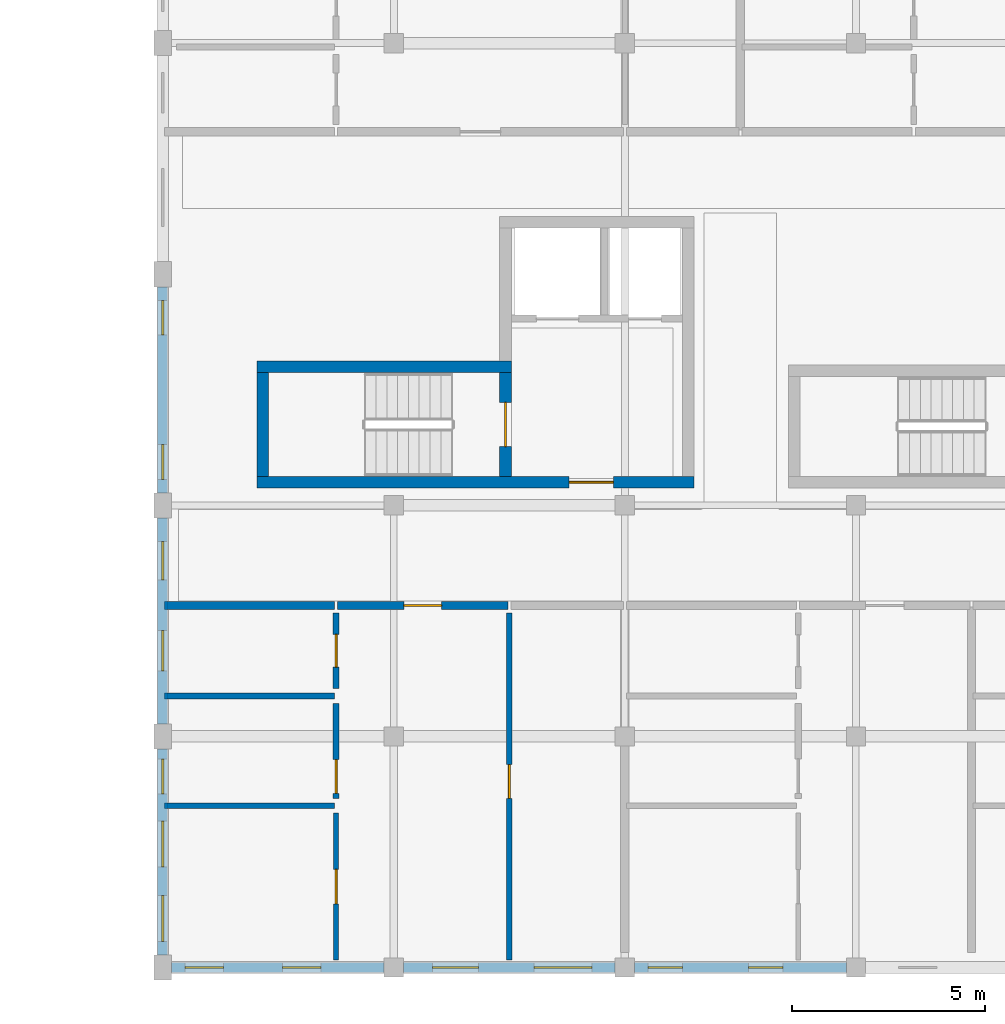
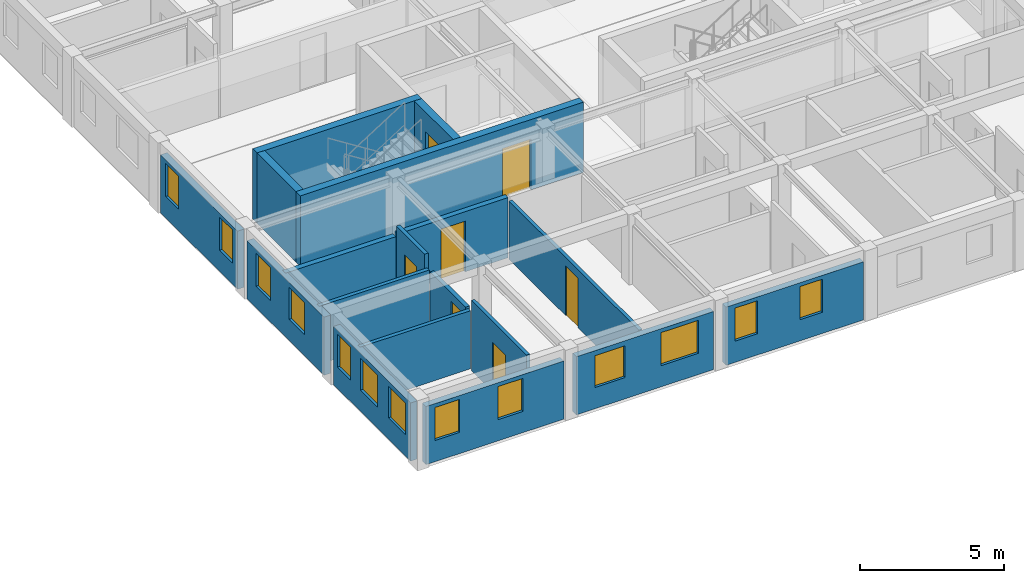
# One storey, part 9 of 23: 18 walls, 13 windows, 7 doors, 20 openings.
"""IFC4 building model written with IfcOpenShell, lengths in metres."""

from ifc_helpers import new_model, si_unit, direction, frame, frame_2d, origin, place, context, subcontext, project, spatial, rectangle, extrude, material, layer, layer_set, type_object, element, fill, save


model = new_model("IFC4")

# Units and contexts
model_context = context("Model", 3, precision=1e-05, world=origin(), true_north=direction((0.0, 1.0)))
body_context = subcontext(model_context, "Body", "Model", "MODEL_VIEW")
ifc_project = project(units=[si_unit("LENGTHUNIT", "METRE"), si_unit("AREAUNIT", "SQUARE_METRE"), si_unit("VOLUMEUNIT", "CUBIC_METRE"), si_unit("PLANEANGLEUNIT", "RADIAN"), si_unit("MASSUNIT", "GRAM", prefix="KILO"), si_unit("POWERUNIT", "WATT"), si_unit("THERMODYNAMICTEMPERATUREUNIT", "KELVIN")], contexts=[model_context])

# Site, building, storey
site_placement = place(None, origin())
site = spatial("IfcSite", under=ifc_project, at=site_placement, CompositionType="ELEMENT")
building_placement = place(site_placement, origin())
building = spatial("IfcBuilding", under=site, at=building_placement, Name="Ruvembo Vaulted Housing Court", CompositionType="ELEMENT")
storey_placement = place(building_placement, frame((0.0, 0.0, 26.89990234375)))
storey = spatial("IfcBuildingStorey", under=building, at=storey_placement, Name="L08", CompositionType="ELEMENT", Elevation=26.89990234375)

# Wall, opening, door
ifc_material_1 = material(Name="Concrete C35/45", Category="concrete")
ifc_layer_1 = layer(ifc_material_1, 0.300048828125, Name="Concrete C35/45")
ifc_layer_set_1 = layer_set([ifc_layer_1], Name="Concrete C35/45")
wall_type_1 = type_object("IfcWallType", Name="WL-CORE-300", PredefinedType="SHEAR", material=ifc_layer_set_1)
wall_1_placement = place(storey_placement, frame((104.449951171875, 12.60009765625, 0.0), z_axis=(0.0, 0.0, 1.0), x_axis=(1.0, 0.0, 0.0)))
wall_1 = element("IfcWall", 1, at=wall_1_placement, inside=storey, type_object=wall_type_1, Name="Core C1 L08 South Shear Wall", PredefinedType="SHEAR", context=body_context, shape_type="SweptSolid", body=[
    extrude(rectangle(XDim=11.35009765625, YDim=0.300048828125, at=frame_2d((5.675048828125, 0.0))), origin(), (0.0, 0.0, 1.0), 2.97998046875),
])
opening_1_placement = place(wall_1_placement, frame((8.10009765625, 0.0, 0.0)))
opening_1 = element("IfcOpeningElement", 2, at=opening_1_placement, cuts=wall_1, Name="Opening LD0", PredefinedType="OPENING", context=body_context, shape_type="SweptSolid", body=[
    extrude(rectangle(XDim=1.14990234375, YDim=2.14990234375, at=frame_2d((0.574951171875, 1.074951171875))), frame((0.0, 0.159912109375, 0.0), z_axis=(0.0, -1.0, 0.0), x_axis=(1.0, 0.0, 0.0)), (0.0, 0.0, 1.0), 0.320068359375),
])
ifc_material_2 = material(Name="Galvanised Painted Steel", Category="steel")
door_type_1 = type_object("IfcDoorType", Name="DR-LOB-1150x2150", OperationType="NOTDEFINED", PredefinedType="DOOR", material=ifc_material_2)
door_1_placement = place(opening_1_placement, origin())
door_1 = element("IfcDoor", 3, at=door_1_placement, inside=storey, type_object=door_type_1, Name="Core C1 L08 Lobby Fire Door", OperationType="SINGLE_SWING_RIGHT", OverallHeight=2.14990234375, OverallWidth=1.14990234375, PredefinedType="DOOR", context=body_context, shape_type="SweptSolid", body=[
    extrude(rectangle(XDim=1.14990234375, YDim=2.14990234375, at=frame_2d((0.574951171875, 1.074951171875))), frame((0.0, 0.02490234375, 0.0), z_axis=(0.0, -1.0, 0.0), x_axis=(1.0, 0.0, 0.0)), (0.0, 0.0, 1.0), 0.050048828125),
])
fill(opening_1, door_1)

# Walls
wall_2_placement = place(storey_placement, frame((111.050048828125, 15.60009765625, 0.0), z_axis=(0.0, 0.0, 1.0), x_axis=(-1.0, 0.0, 0.0)))
element("IfcWall", 4, at=wall_2_placement, inside=storey, type_object=wall_type_1, Name="Core C1 L08 Stair North Shear Wall", PredefinedType="SHEAR", context=body_context, shape_type="SweptSolid", body=[
    extrude(rectangle(XDim=6.60009765625, YDim=0.300048828125, at=frame_2d((3.300048828125, 0.0))), origin(), (0.0, 0.0, 1.0), 2.97998046875),
])
wall_3_placement = place(storey_placement, frame((104.60009765625, 15.449951171875, 0.0), z_axis=(0.0, 0.0, 1.0), x_axis=(0.0, -1.0, 0.0)))
element("IfcWall", 5, at=wall_3_placement, inside=storey, type_object=wall_type_1, Name="Core C1 L08 Stair West Shear Wall", PredefinedType="SHEAR", context=body_context, shape_type="SweptSolid", body=[
    extrude(rectangle(XDim=2.699951171875, YDim=0.300048828125, at=frame_2d((1.35009765625, 0.0))), origin(), (0.0, 0.0, 1.0), 2.97998046875),
])

# Wall, opening, door
wall_4_placement = place(storey_placement, frame((110.89990234375, 12.75, 0.0), z_axis=(0.0, 0.0, 1.0), x_axis=(0.0, 1.0, 0.0)))
wall_4 = element("IfcWall", 6, at=wall_4_placement, inside=storey, type_object=wall_type_1, Name="Core C1 L08 Stair-Lobby Shear Wall", PredefinedType="SHEAR", context=body_context, shape_type="SweptSolid", body=[
    extrude(rectangle(XDim=2.699951171875, YDim=0.300048828125, at=frame_2d((1.35009765625, 0.0))), origin(), (0.0, 0.0, 1.0), 2.97998046875),
])
opening_2_placement = place(wall_4_placement, frame((0.77490234375, 0.0, 0.0)))
opening_2 = element("IfcOpeningElement", 7, at=opening_2_placement, cuts=wall_4, Name="Opening SD1", PredefinedType="OPENING", context=body_context, shape_type="SweptSolid", body=[
    extrude(rectangle(XDim=1.14990234375, YDim=2.14990234375, at=frame_2d((0.574951171875, 1.074951171875))), frame((0.0, 0.159912109375, 0.0), z_axis=(0.0, -1.0, 0.0), x_axis=(1.0, 0.0, 0.0)), (0.0, 0.0, 1.0), 0.320068359375),
])
door_type_2 = type_object("IfcDoorType", Name="DR-STAIR-1150x2150", OperationType="NOTDEFINED", PredefinedType="DOOR", material=ifc_material_2)
door_2_placement = place(opening_2_placement, origin())
door_2 = element("IfcDoor", 8, at=door_2_placement, inside=storey, type_object=door_type_2, Name="Stair ST-C1 L08 Fire Door", OperationType="SINGLE_SWING_LEFT", OverallHeight=2.14990234375, OverallWidth=1.14990234375, PredefinedType="DOOR", context=body_context, shape_type="SweptSolid", body=[
    extrude(rectangle(XDim=1.14990234375, YDim=2.14990234375, at=frame_2d((0.574951171875, 1.074951171875))), frame((0.0, 0.02490234375, 0.0), z_axis=(0.0, -1.0, 0.0), x_axis=(1.0, 0.0, 0.0)), (0.0, 0.0, 1.0), 0.050048828125),
])
fill(opening_2, door_2)

# Wall
ifc_material_3 = material(Name="Concrete Blockwork 210", Category="masonry")
ifc_layer_2 = layer(ifc_material_3, 0.2099609375, Name="Concrete Blockwork 210")
ifc_layer_set_2 = layer_set([ifc_layer_2], Name="Concrete Blockwork 210")
wall_type_2 = type_object("IfcWallType", Name="WL-CORR-210", PredefinedType="SOLIDWALL", material=ifc_layer_set_2)
wall_5_placement = place(storey_placement, frame((102.0400390625, 9.39990234375, 0.0), z_axis=(0.0, 0.0, 1.0), x_axis=(1.0, 0.0, 0.0)))
element("IfcWall", 9, at=wall_5_placement, inside=storey, type_object=wall_type_2, Name="L08 Flat C-L08-S1 Corridor Wall WL-INT-L08-02089", PredefinedType="SOLIDWALL", context=body_context, shape_type="SweptSolid", body=[
    extrude(rectangle(XDim=4.419921875, YDim=0.2099609375, at=frame_2d((2.2099609375, 0.0))), origin(), (0.0, 0.0, 1.0), 2.462158203125),
])

# Wall, opening, door
wall_6_placement = place(storey_placement, frame((106.5400390625, 9.39990234375, 0.0), z_axis=(0.0, 0.0, 1.0), x_axis=(1.0, 0.0, 0.0)))
wall_6 = element("IfcWall", 10, at=wall_6_placement, inside=storey, type_object=wall_type_2, Name="L08 Flat C-L08-S1 Entrance WL-INT-L08-02090", PredefinedType="SOLIDWALL", context=body_context, shape_type="SweptSolid", body=[
    extrude(rectangle(XDim=4.419921875, YDim=0.2099609375, at=frame_2d((2.2099609375, 0.0))), origin(), (0.0, 0.0, 1.0), 2.548095703125),
])
opening_3_placement = place(wall_6_placement, frame((1.719970703125, 0.0, 0.0)))
opening_3 = element("IfcOpeningElement", 11, at=opening_3_placement, cuts=wall_6, Name="Opening FD2", PredefinedType="OPENING", context=body_context, shape_type="SweptSolid", body=[
    extrude(rectangle(XDim=0.97998046875, YDim=2.14990234375, at=frame_2d((0.489990234375, 1.074951171875))), frame((0.0, 0.114990234375, 0.0), z_axis=(0.0, -1.0, 0.0), x_axis=(1.0, 0.0, 0.0)), (0.0, 0.0, 1.0), 0.22998046875),
])
ifc_material_4 = material(Name="FSC Hardwood and Engineered Timber", Category="wood")
door_type_3 = type_object("IfcDoorType", Name="DR-FLAT-0980x2150", OperationType="NOTDEFINED", PredefinedType="DOOR", material=ifc_material_4)
door_3_placement = place(opening_3_placement, origin())
door_3 = element("IfcDoor", 12, at=door_3_placement, inside=storey, type_object=door_type_3, Name="L08 Flat C-L08-S1 Entrance Door DR-INT-L08-01165", OperationType="SINGLE_SWING_LEFT", OverallHeight=2.14990234375, OverallWidth=0.97998046875, PredefinedType="DOOR", context=body_context, shape_type="SweptSolid", body=[
    extrude(rectangle(XDim=0.97998046875, YDim=2.14990234375, at=frame_2d((0.489990234375, 1.074951171875))), frame((0.0, 0.02490234375, 0.0), z_axis=(0.0, -1.0, 0.0), x_axis=(1.0, 0.0, 0.0)), (0.0, 0.0, 1.0), 0.050048828125),
])
fill(opening_3, door_3)

# Wall, openings, windows
ifc_material_5 = material(Name="Rendered Masonry 260", Category="masonry")
ifc_layer_3 = layer(ifc_material_5, 0.260009765625, Name="Rendered Masonry 260")
ifc_layer_set_3 = layer_set([ifc_layer_3], Name="Rendered Masonry 260")
wall_type_3 = type_object("IfcWallType", Name="WL-EXT-260", PredefinedType="STANDARD", material=ifc_layer_set_3)
wall_7_placement = place(storey_placement, frame((102.22509765625, 0.0, 0.0), z_axis=(0.0, 0.0, 1.0), x_axis=(1.0, 0.0, 0.0)))
wall_7 = element("IfcWall", 13, at=wall_7_placement, inside=storey, type_object=wall_type_3, Name="Block C L08 Exterior Wall STREET #1", PredefinedType="STANDARD", context=body_context, shape_type="SweptSolid", body=[
    extrude(rectangle(XDim=5.52490234375, YDim=0.260009765625, at=frame_2d((2.762451171875, 0.0))), origin(), (0.0, 0.0, 1.0), 2.462158203125),
])
opening_4_placement = place(wall_7_placement, frame((0.35009765625, 0.0, 0.89990234375)))
opening_4 = element("IfcOpeningElement", 14, at=opening_4_placement, cuts=wall_7, Name="Opening W08", PredefinedType="OPENING", context=body_context, shape_type="SweptSolid", body=[
    extrude(rectangle(XDim=1.0, YDim=1.39990234375, at=frame_2d((0.5, 0.699951171875))), frame((0.0, 0.139892578125, 0.0), z_axis=(0.0, -1.0, 0.0), x_axis=(1.0, 0.0, 0.0)), (0.0, 0.0, 1.0), 0.280029296875),
])
opening_5_placement = place(wall_7_placement, frame((2.885009765625, 0.0, 0.89990234375)))
opening_5 = element("IfcOpeningElement", 15, at=opening_5_placement, cuts=wall_7, Name="Opening W08", PredefinedType="OPENING", context=body_context, shape_type="SweptSolid", body=[
    extrude(rectangle(XDim=1.0, YDim=1.39990234375, at=frame_2d((0.5, 0.699951171875))), frame((0.0, 0.139892578125, 0.0), z_axis=(0.0, -1.0, 0.0), x_axis=(1.0, 0.0, 0.0)), (0.0, 0.0, 1.0), 0.280029296875),
])
ifc_material_6 = material(Name="Double Solar-Control Glazing in Aluminium Frame", Category="aluminium")
window_type_1 = type_object("IfcWindowType", Name="WIN-1000x1400", PartitioningType="SINGLE_PANEL", PredefinedType="WINDOW", material=ifc_material_6)
window_1_placement = place(opening_4_placement, origin())
window_1 = element("IfcWindow", 16, at=window_1_placement, inside=storey, type_object=window_type_1, Name="Block C L08 Window #1406", OverallHeight=1.39990234375, OverallWidth=1.0, PartitioningType="SINGLE_PANEL", PredefinedType="WINDOW", context=body_context, shape_type="SweptSolid", body=[
    extrude(rectangle(XDim=1.0, YDim=1.39990234375, at=frame_2d((0.5, 0.699951171875))), frame((0.0, 0.030029296875, 0.0), z_axis=(0.0, -1.0, 0.0), x_axis=(1.0, 0.0, 0.0)), (0.0, 0.0, 1.0), 0.06005859375),
])
fill(opening_4, window_1)
window_2_placement = place(opening_5_placement, origin())
window_2 = element("IfcWindow", 17, at=window_2_placement, inside=storey, type_object=window_type_1, Name="Block C L08 Window #1407", OverallHeight=1.39990234375, OverallWidth=1.0, PartitioningType="SINGLE_PANEL", PredefinedType="WINDOW", context=body_context, shape_type="SweptSolid", body=[
    extrude(rectangle(XDim=1.0, YDim=1.39990234375, at=frame_2d((0.5, 0.699951171875))), frame((0.0, 0.030029296875, 0.0), z_axis=(0.0, -1.0, 0.0), x_axis=(1.0, 0.0, 0.0)), (0.0, 0.0, 1.0), 0.06005859375),
])
fill(opening_5, window_2)

wall_8_placement = place(storey_placement, frame((108.25, 0.0, 0.0), z_axis=(0.0, 0.0, 1.0), x_axis=(1.0, 0.0, 0.0)))
wall_8 = element("IfcWall", 18, at=wall_8_placement, inside=storey, type_object=wall_type_3, Name="Block C L08 Exterior Wall STREET #2", PredefinedType="STANDARD", context=body_context, shape_type="SweptSolid", body=[
    extrude(rectangle(XDim=5.5, YDim=0.260009765625, at=frame_2d((2.75, 0.0))), origin(), (0.0, 0.0, 1.0), 2.462158203125),
])
opening_6_placement = place(wall_8_placement, frame((0.7548828125, 0.0, 0.89990234375)))
opening_6 = element("IfcOpeningElement", 19, at=opening_6_placement, cuts=wall_8, Name="Opening W12", PredefinedType="OPENING", context=body_context, shape_type="SweptSolid", body=[
    extrude(rectangle(XDim=1.199951171875, YDim=1.35009765625, at=frame_2d((0.60009765625, 0.675048828125))), frame((0.0, 0.139892578125, 0.0), z_axis=(0.0, -1.0, 0.0), x_axis=(1.0, 0.0, 0.0)), (0.0, 0.0, 1.0), 0.280029296875),
])
opening_7_placement = place(wall_8_placement, frame((3.39501953125, 0.0, 0.89990234375)))
opening_7 = element("IfcOpeningElement", 20, at=opening_7_placement, cuts=wall_8, Name="Opening W18", PredefinedType="OPENING", context=body_context, shape_type="SweptSolid", body=[
    extrude(rectangle(XDim=1.5, YDim=1.39990234375, at=frame_2d((0.75, 0.699951171875))), frame((0.0, 0.139892578125, 0.0), z_axis=(0.0, -1.0, 0.0), x_axis=(1.0, 0.0, 0.0)), (0.0, 0.0, 1.0), 0.280029296875),
])
window_type_2 = type_object("IfcWindowType", Name="WIN-1200x1350", PartitioningType="SINGLE_PANEL", PredefinedType="WINDOW", material=ifc_material_6)
window_3_placement = place(opening_6_placement, origin())
window_3 = element("IfcWindow", 21, at=window_3_placement, inside=storey, type_object=window_type_2, Name="Block C L08 Window #1408", OverallHeight=1.35009765625, OverallWidth=1.199951171875, PartitioningType="SINGLE_PANEL", PredefinedType="WINDOW", context=body_context, shape_type="SweptSolid", body=[
    extrude(rectangle(XDim=1.199951171875, YDim=1.35009765625, at=frame_2d((0.60009765625, 0.675048828125))), frame((0.0, 0.030029296875, 0.0), z_axis=(0.0, -1.0, 0.0), x_axis=(1.0, 0.0, 0.0)), (0.0, 0.0, 1.0), 0.06005859375),
])
fill(opening_6, window_3)
window_type_3 = type_object("IfcWindowType", Name="WIN-1500x1400", PartitioningType="SINGLE_PANEL", PredefinedType="WINDOW", material=ifc_material_6)
window_4_placement = place(opening_7_placement, origin())
window_4 = element("IfcWindow", 22, at=window_4_placement, inside=storey, type_object=window_type_3, Name="Block C L08 Window #1409", OverallHeight=1.39990234375, OverallWidth=1.5, PartitioningType="SINGLE_PANEL", PredefinedType="WINDOW", context=body_context, shape_type="SweptSolid", body=[
    extrude(rectangle(XDim=1.5, YDim=1.39990234375, at=frame_2d((0.75, 0.699951171875))), frame((0.0, 0.030029296875, 0.0), z_axis=(0.0, -1.0, 0.0), x_axis=(1.0, 0.0, 0.0)), (0.0, 0.0, 1.0), 0.06005859375),
])
fill(opening_7, window_4)

wall_9_placement = place(storey_placement, frame((114.25, 0.0, 0.0), z_axis=(0.0, 0.0, 1.0), x_axis=(1.0, 0.0, 0.0)))
wall_9 = element("IfcWall", 23, at=wall_9_placement, inside=storey, type_object=wall_type_3, Name="Block C L08 Exterior Wall STREET #3", PredefinedType="STANDARD", context=body_context, shape_type="SweptSolid", body=[
    extrude(rectangle(XDim=5.5, YDim=0.260009765625, at=frame_2d((2.75, 0.0))), origin(), (0.0, 0.0, 1.0), 2.462158203125),
])
opening_8_placement = place(wall_9_placement, frame((0.35009765625, 0.0, 0.89990234375)))
opening_8 = element("IfcOpeningElement", 24, at=opening_8_placement, cuts=wall_9, Name="Opening W05", PredefinedType="OPENING", context=body_context, shape_type="SweptSolid", body=[
    extrude(rectangle(XDim=0.89990234375, YDim=1.39990234375, at=frame_2d((0.449951171875, 0.699951171875))), frame((0.0, 0.139892578125, 0.0), z_axis=(0.0, -1.0, 0.0), x_axis=(1.0, 0.0, 0.0)), (0.0, 0.0, 1.0), 0.280029296875),
])
opening_9_placement = place(wall_9_placement, frame((2.9599609375, 0.0, 0.89990234375)))
opening_9 = element("IfcOpeningElement", 25, at=opening_9_placement, cuts=wall_9, Name="Opening W05", PredefinedType="OPENING", context=body_context, shape_type="SweptSolid", body=[
    extrude(rectangle(XDim=0.89990234375, YDim=1.39990234375, at=frame_2d((0.449951171875, 0.699951171875))), frame((0.0, 0.139892578125, 0.0), z_axis=(0.0, -1.0, 0.0), x_axis=(1.0, 0.0, 0.0)), (0.0, 0.0, 1.0), 0.280029296875),
])
window_type_4 = type_object("IfcWindowType", Name="WIN-0900x1400", PartitioningType="SINGLE_PANEL", PredefinedType="WINDOW", material=ifc_material_6)
window_5_placement = place(opening_8_placement, origin())
window_5 = element("IfcWindow", 26, at=window_5_placement, inside=storey, type_object=window_type_4, Name="Block C L08 Window #1410", OverallHeight=1.39990234375, OverallWidth=0.89990234375, PartitioningType="SINGLE_PANEL", PredefinedType="WINDOW", context=body_context, shape_type="SweptSolid", body=[
    extrude(rectangle(XDim=0.89990234375, YDim=1.39990234375, at=frame_2d((0.449951171875, 0.699951171875))), frame((0.0, 0.030029296875, 0.0), z_axis=(0.0, -1.0, 0.0), x_axis=(1.0, 0.0, 0.0)), (0.0, 0.0, 1.0), 0.06005859375),
])
fill(opening_8, window_5)
window_6_placement = place(opening_9_placement, origin())
window_6 = element("IfcWindow", 27, at=window_6_placement, inside=storey, type_object=window_type_4, Name="Block C L08 Window #1411", OverallHeight=1.39990234375, OverallWidth=0.89990234375, PartitioningType="SINGLE_PANEL", PredefinedType="WINDOW", context=body_context, shape_type="SweptSolid", body=[
    extrude(rectangle(XDim=0.89990234375, YDim=1.39990234375, at=frame_2d((0.449951171875, 0.699951171875))), frame((0.0, 0.030029296875, 0.0), z_axis=(0.0, -1.0, 0.0), x_axis=(1.0, 0.0, 0.0)), (0.0, 0.0, 1.0), 0.06005859375),
])
fill(opening_9, window_6)

wall_10_placement = place(storey_placement, frame((102.0, 17.675048828125, 0.0), z_axis=(0.0, 0.0, 1.0), x_axis=(0.0, -1.0, 0.0)))
wall_10 = element("IfcWall", 28, at=wall_10_placement, inside=storey, type_object=wall_type_3, Name="Block C L08 Exterior Wall WEST #3", PredefinedType="STANDARD", context=body_context, shape_type="SweptSolid", body=[
    extrude(rectangle(XDim=5.35009765625, YDim=0.260009765625, at=frame_2d((2.675048828125, 0.0))), origin(), (0.0, 0.0, 1.0), 2.462158203125),
])
opening_10_placement = place(wall_10_placement, frame((0.35009765625, 0.0, 0.89990234375)))
opening_10 = element("IfcOpeningElement", 29, at=opening_10_placement, cuts=wall_10, Name="Opening W05", PredefinedType="OPENING", context=body_context, shape_type="SweptSolid", body=[
    extrude(rectangle(XDim=0.89990234375, YDim=1.39990234375, at=frame_2d((0.449951171875, 0.699951171875))), frame((0.0, 0.139892578125, 0.0), z_axis=(0.0, -1.0, 0.0), x_axis=(1.0, 0.0, 0.0)), (0.0, 0.0, 1.0), 0.280029296875),
])
opening_11_placement = place(wall_10_placement, frame((4.10009765625, 0.0, 0.89990234375)))
opening_11 = element("IfcOpeningElement", 30, at=opening_11_placement, cuts=wall_10, Name="Opening W05", PredefinedType="OPENING", context=body_context, shape_type="SweptSolid", body=[
    extrude(rectangle(XDim=0.89990234375, YDim=1.39990234375, at=frame_2d((0.449951171875, 0.699951171875))), frame((0.0, 0.139892578125, 0.0), z_axis=(0.0, -1.0, 0.0), x_axis=(1.0, 0.0, 0.0)), (0.0, 0.0, 1.0), 0.280029296875),
])
window_7_placement = place(opening_10_placement, origin())
window_7 = element("IfcWindow", 31, at=window_7_placement, inside=storey, type_object=window_type_4, Name="Block C L08 Window #1440", OverallHeight=1.39990234375, OverallWidth=0.89990234375, PartitioningType="SINGLE_PANEL", PredefinedType="WINDOW", context=body_context, shape_type="SweptSolid", body=[
    extrude(rectangle(XDim=0.89990234375, YDim=1.39990234375, at=frame_2d((0.449951171875, 0.699951171875))), frame((0.0, 0.030029296875, 0.0), z_axis=(0.0, -1.0, 0.0), x_axis=(1.0, 0.0, 0.0)), (0.0, 0.0, 1.0), 0.06005859375),
])
fill(opening_10, window_7)
window_8_placement = place(opening_11_placement, origin())
window_8 = element("IfcWindow", 32, at=window_8_placement, inside=storey, type_object=window_type_4, Name="Block C L08 Window #1441", OverallHeight=1.39990234375, OverallWidth=0.89990234375, PartitioningType="SINGLE_PANEL", PredefinedType="WINDOW", context=body_context, shape_type="SweptSolid", body=[
    extrude(rectangle(XDim=0.89990234375, YDim=1.39990234375, at=frame_2d((0.449951171875, 0.699951171875))), frame((0.0, 0.030029296875, 0.0), z_axis=(0.0, -1.0, 0.0), x_axis=(1.0, 0.0, 0.0)), (0.0, 0.0, 1.0), 0.06005859375),
])
fill(opening_11, window_8)

wall_11_placement = place(storey_placement, frame((102.0, 11.675048828125, 0.0), z_axis=(0.0, 0.0, 1.0), x_axis=(0.0, -1.0, 0.0)))
wall_11 = element("IfcWall", 33, at=wall_11_placement, inside=storey, type_object=wall_type_3, Name="Block C L08 Exterior Wall WEST #4", PredefinedType="STANDARD", context=body_context, shape_type="SweptSolid", body=[
    extrude(rectangle(XDim=5.35009765625, YDim=0.260009765625, at=frame_2d((2.675048828125, 0.0))), origin(), (0.0, 0.0, 1.0), 2.462158203125),
])
opening_12_placement = place(wall_11_placement, frame((0.617431640625, 0.0, 0.89990234375)))
opening_12 = element("IfcOpeningElement", 34, at=opening_12_placement, cuts=wall_11, Name="Opening W08", PredefinedType="OPENING", context=body_context, shape_type="SweptSolid", body=[
    extrude(rectangle(XDim=1.0, YDim=1.39990234375, at=frame_2d((0.5, 0.699951171875))), frame((0.0, 0.139892578125, 0.0), z_axis=(0.0, -1.0, 0.0), x_axis=(1.0, 0.0, 0.0)), (0.0, 0.0, 1.0), 0.280029296875),
])
opening_13_placement = place(wall_11_placement, frame((2.925048828125, 0.0, 0.89990234375)))
opening_13 = element("IfcOpeningElement", 35, at=opening_13_placement, cuts=wall_11, Name="Opening W09", PredefinedType="OPENING", context=body_context, shape_type="SweptSolid", body=[
    extrude(rectangle(XDim=1.050048828125, YDim=1.35009765625, at=frame_2d((0.52490234375, 0.675048828125))), frame((0.0, 0.139892578125, 0.0), z_axis=(0.0, -1.0, 0.0), x_axis=(1.0, 0.0, 0.0)), (0.0, 0.0, 1.0), 0.280029296875),
])
window_9_placement = place(opening_12_placement, origin())
window_9 = element("IfcWindow", 36, at=window_9_placement, inside=storey, type_object=window_type_1, Name="Block C L08 Window #1442", OverallHeight=1.39990234375, OverallWidth=1.0, PartitioningType="SINGLE_PANEL", PredefinedType="WINDOW", context=body_context, shape_type="SweptSolid", body=[
    extrude(rectangle(XDim=1.0, YDim=1.39990234375, at=frame_2d((0.5, 0.699951171875))), frame((0.0, 0.030029296875, 0.0), z_axis=(0.0, -1.0, 0.0), x_axis=(1.0, 0.0, 0.0)), (0.0, 0.0, 1.0), 0.06005859375),
])
fill(opening_12, window_9)
window_type_5 = type_object("IfcWindowType", Name="WIN-1050x1350", PartitioningType="SINGLE_PANEL", PredefinedType="WINDOW", material=ifc_material_6)
window_10_placement = place(opening_13_placement, origin())
window_10 = element("IfcWindow", 37, at=window_10_placement, inside=storey, type_object=window_type_5, Name="Block C L08 Window #1443", OverallHeight=1.35009765625, OverallWidth=1.050048828125, PartitioningType="SINGLE_PANEL", PredefinedType="WINDOW", context=body_context, shape_type="SweptSolid", body=[
    extrude(rectangle(XDim=1.050048828125, YDim=1.35009765625, at=frame_2d((0.52490234375, 0.675048828125))), frame((0.0, 0.030029296875, 0.0), z_axis=(0.0, -1.0, 0.0), x_axis=(1.0, 0.0, 0.0)), (0.0, 0.0, 1.0), 0.06005859375),
])
fill(opening_13, window_10)

wall_12_placement = place(storey_placement, frame((102.0, 5.675048828125, 0.0), z_axis=(0.0, 0.0, 1.0), x_axis=(0.0, -1.0, 0.0)))
wall_12 = element("IfcWall", 38, at=wall_12_placement, inside=storey, type_object=wall_type_3, Name="Block C L08 Exterior Wall WEST #5", PredefinedType="STANDARD", context=body_context, shape_type="SweptSolid", body=[
    extrude(rectangle(XDim=5.35009765625, YDim=0.260009765625, at=frame_2d((2.675048828125, 0.0))), origin(), (0.0, 0.0, 1.0), 2.462158203125),
])
opening_14_placement = place(wall_12_placement, frame((0.267578125, 0.0, 0.89990234375)))
opening_14 = element("IfcOpeningElement", 39, at=opening_14_placement, cuts=wall_12, Name="Opening W05", PredefinedType="OPENING", context=body_context, shape_type="SweptSolid", body=[
    extrude(rectangle(XDim=0.89990234375, YDim=1.39990234375, at=frame_2d((0.449951171875, 0.699951171875))), frame((0.0, 0.139892578125, 0.0), z_axis=(0.0, -1.0, 0.0), x_axis=(1.0, 0.0, 0.0)), (0.0, 0.0, 1.0), 0.280029296875),
])
opening_15_placement = place(wall_12_placement, frame((1.864990234375, 0.0, 0.89990234375)))
opening_15 = element("IfcOpeningElement", 40, at=opening_15_placement, cuts=wall_12, Name="Opening W12", PredefinedType="OPENING", context=body_context, shape_type="SweptSolid", body=[
    extrude(rectangle(XDim=1.199951171875, YDim=1.35009765625, at=frame_2d((0.60009765625, 0.675048828125))), frame((0.0, 0.139892578125, 0.0), z_axis=(0.0, -1.0, 0.0), x_axis=(1.0, 0.0, 0.0)), (0.0, 0.0, 1.0), 0.280029296875),
])
opening_16_placement = place(wall_12_placement, frame((3.800048828125, 0.0, 0.89990234375)))
opening_16 = element("IfcOpeningElement", 41, at=opening_16_placement, cuts=wall_12, Name="Opening W12", PredefinedType="OPENING", context=body_context, shape_type="SweptSolid", body=[
    extrude(rectangle(XDim=1.199951171875, YDim=1.35009765625, at=frame_2d((0.60009765625, 0.675048828125))), frame((0.0, 0.139892578125, 0.0), z_axis=(0.0, -1.0, 0.0), x_axis=(1.0, 0.0, 0.0)), (0.0, 0.0, 1.0), 0.280029296875),
])
window_11_placement = place(opening_14_placement, origin())
window_11 = element("IfcWindow", 42, at=window_11_placement, inside=storey, type_object=window_type_4, Name="Block C L08 Window #1444", OverallHeight=1.39990234375, OverallWidth=0.89990234375, PartitioningType="SINGLE_PANEL", PredefinedType="WINDOW", context=body_context, shape_type="SweptSolid", body=[
    extrude(rectangle(XDim=0.89990234375, YDim=1.39990234375, at=frame_2d((0.449951171875, 0.699951171875))), frame((0.0, 0.030029296875, 0.0), z_axis=(0.0, -1.0, 0.0), x_axis=(1.0, 0.0, 0.0)), (0.0, 0.0, 1.0), 0.06005859375),
])
fill(opening_14, window_11)
window_12_placement = place(opening_15_placement, origin())
window_12 = element("IfcWindow", 43, at=window_12_placement, inside=storey, type_object=window_type_2, Name="Block C L08 Window #1445", OverallHeight=1.35009765625, OverallWidth=1.199951171875, PartitioningType="SINGLE_PANEL", PredefinedType="WINDOW", context=body_context, shape_type="SweptSolid", body=[
    extrude(rectangle(XDim=1.199951171875, YDim=1.35009765625, at=frame_2d((0.60009765625, 0.675048828125))), frame((0.0, 0.030029296875, 0.0), z_axis=(0.0, -1.0, 0.0), x_axis=(1.0, 0.0, 0.0)), (0.0, 0.0, 1.0), 0.06005859375),
])
fill(opening_15, window_12)
window_13_placement = place(opening_16_placement, origin())
window_13 = element("IfcWindow", 44, at=window_13_placement, inside=storey, type_object=window_type_2, Name="Block C L08 Window #1446", OverallHeight=1.35009765625, OverallWidth=1.199951171875, PartitioningType="SINGLE_PANEL", PredefinedType="WINDOW", context=body_context, shape_type="SweptSolid", body=[
    extrude(rectangle(XDim=1.199951171875, YDim=1.35009765625, at=frame_2d((0.60009765625, 0.675048828125))), frame((0.0, 0.030029296875, 0.0), z_axis=(0.0, -1.0, 0.0), x_axis=(1.0, 0.0, 0.0)), (0.0, 0.0, 1.0), 0.06005859375),
])
fill(opening_16, window_13)

# Wall, opening, door
ifc_material_7 = material(Name="Acoustic Stud Partition 135", Category="gypsum")
ifc_layer_4 = layer(ifc_material_7, 0.135009765625, Name="Acoustic Stud Partition 135")
ifc_layer_set_4 = layer_set([ifc_layer_4], Name="Acoustic Stud Partition 135")
wall_type_4 = type_object("IfcWallType", Name="WL-PART-135", PredefinedType="PARTITIONING", material=ifc_layer_set_4)
wall_13_placement = place(storey_placement, frame((106.5, 0.18994140625, 0.0), z_axis=(0.0, 0.0, 1.0), x_axis=(0.0, 1.0, 0.0)))
wall_13 = element("IfcWall", 45, at=wall_13_placement, inside=storey, type_object=wall_type_4, Name="L08 Flat C-L08-S1 Bedroom 1 WL-INT-L08-02091", PredefinedType="PARTITIONING", context=body_context, shape_type="SweptSolid", body=[
    extrude(rectangle(XDim=3.820068359375, YDim=0.135009765625, at=frame_2d((1.91015625, 0.0))), origin(), (0.0, 0.0, 1.0), 2.97998046875),
])
opening_17_placement = place(wall_13_placement, frame((1.4599609375, 0.0, 0.0)))
opening_17 = element("IfcOpeningElement", 46, at=opening_17_placement, cuts=wall_13, Name="Opening ID1", PredefinedType="OPENING", context=body_context, shape_type="SweptSolid", body=[
    extrude(rectangle(XDim=0.89990234375, YDim=2.10009765625, at=frame_2d((0.449951171875, 1.050048828125))), frame((0.0, 0.077392578125, 0.0), z_axis=(0.0, -1.0, 0.0), x_axis=(1.0, 0.0, 0.0)), (0.0, 0.0, 1.0), 0.155029296875),
])
door_type_4 = type_object("IfcDoorType", Name="DR-ROOM-0900x2100", OperationType="NOTDEFINED", PredefinedType="DOOR", material=ifc_material_4)
door_4_placement = place(opening_17_placement, origin())
door_4 = element("IfcDoor", 47, at=door_4_placement, inside=storey, type_object=door_type_4, Name="L08 Flat C-L08-S1 Bedroom 1 Door DR-INT-L08-01166", OperationType="SINGLE_SWING_RIGHT", OverallHeight=2.10009765625, OverallWidth=0.89990234375, PredefinedType="DOOR", context=body_context, shape_type="SweptSolid", body=[
    extrude(rectangle(XDim=0.89990234375, YDim=2.10009765625, at=frame_2d((0.449951171875, 1.050048828125))), frame((0.0, 0.02490234375, 0.0), z_axis=(0.0, -1.0, 0.0), x_axis=(1.0, 0.0, 0.0)), (0.0, 0.0, 1.0), 0.050048828125),
])
fill(opening_17, door_4)

wall_14_placement = place(storey_placement, frame((111.0, 0.18994140625, 0.0), z_axis=(0.0, 0.0, 1.0), x_axis=(0.0, 1.0, 0.0)))
wall_14 = element("IfcWall", 48, at=wall_14_placement, inside=storey, type_object=wall_type_4, Name="L08 Flat C-L08-S1 Bedroom 2 WL-INT-L08-02097", PredefinedType="PARTITIONING", context=body_context, shape_type="SweptSolid", body=[
    extrude(rectangle(XDim=9.02001953125, YDim=0.135009765625, at=frame_2d((4.510009765625, 0.0))), origin(), (0.0, 0.0, 1.0), 2.462158203125),
])
opening_18_placement = place(wall_14_placement, frame((4.199951171875, 0.0, 0.0)))
opening_18 = element("IfcOpeningElement", 49, at=opening_18_placement, cuts=wall_14, Name="Opening ID3", PredefinedType="OPENING", context=body_context, shape_type="SweptSolid", body=[
    extrude(rectangle(XDim=0.8798828125, YDim=2.10009765625, at=frame_2d((0.43994140625, 1.050048828125))), frame((0.0, 0.077392578125, 0.0), z_axis=(0.0, -1.0, 0.0), x_axis=(1.0, 0.0, 0.0)), (0.0, 0.0, 1.0), 0.155029296875),
])
door_type_5 = type_object("IfcDoorType", Name="DR-ROOM-0880x2100", OperationType="NOTDEFINED", PredefinedType="DOOR", material=ifc_material_4)
door_5_placement = place(opening_18_placement, origin())
door_5 = element("IfcDoor", 50, at=door_5_placement, inside=storey, type_object=door_type_5, Name="L08 Flat C-L08-S1 Bedroom 2 Door DR-INT-L08-01169", OperationType="SINGLE_SWING_LEFT", OverallHeight=2.10009765625, OverallWidth=0.8798828125, PredefinedType="DOOR", context=body_context, shape_type="SweptSolid", body=[
    extrude(rectangle(XDim=0.8798828125, YDim=2.10009765625, at=frame_2d((0.43994140625, 1.050048828125))), frame((0.0, 0.02490234375, 0.0), z_axis=(0.0, -1.0, 0.0), x_axis=(1.0, 0.0, 0.0)), (0.0, 0.0, 1.0), 0.050048828125),
])
fill(opening_18, door_5)

ifc_material_8 = material(Name="Moisture-Resistant Wet Partition 150", Category="gypsum")
ifc_layer_5 = layer(ifc_material_8, 0.14990234375, Name="Moisture-Resistant Wet Partition 150")
ifc_layer_set_5 = layer_set([ifc_layer_5], Name="Moisture-Resistant Wet Partition 150")
wall_type_5 = type_object("IfcWallType", Name="WL-PART-150", PredefinedType="PARTITIONING", material=ifc_layer_set_5)
wall_15_placement = place(storey_placement, frame((106.5, 7.239990234375, 0.0), z_axis=(0.0, 0.0, 1.0), x_axis=(0.0, 1.0, 0.0)))
wall_15 = element("IfcWall", 51, at=wall_15_placement, inside=storey, type_object=wall_type_5, Name="L08 Flat C-L08-S1 Bathroom WL-INT-L08-02093", PredefinedType="PARTITIONING", context=body_context, shape_type="SweptSolid", body=[
    extrude(rectangle(XDim=1.969970703125, YDim=0.14990234375, at=frame_2d((0.98486328125, 0.0))), origin(), (0.0, 0.0, 1.0), 2.97998046875),
])
opening_19_placement = place(wall_15_placement, frame((0.56005859375, 0.0, 0.0)))
opening_19 = element("IfcOpeningElement", 52, at=opening_19_placement, cuts=wall_15, Name="Opening ID2", PredefinedType="OPENING", context=body_context, shape_type="SweptSolid", body=[
    extrude(rectangle(XDim=0.85009765625, YDim=2.10009765625, at=frame_2d((0.425048828125, 1.050048828125))), frame((0.0, 0.0849609375, 0.0), z_axis=(0.0, -1.0, 0.0), x_axis=(1.0, 0.0, 0.0)), (0.0, 0.0, 1.0), 0.169921875),
])
door_type_6 = type_object("IfcDoorType", Name="DR-WET-0850x2100", OperationType="NOTDEFINED", PredefinedType="DOOR", material=ifc_material_4)
door_6_placement = place(opening_19_placement, origin())
door_6 = element("IfcDoor", 53, at=door_6_placement, inside=storey, type_object=door_type_6, Name="L08 Flat C-L08-S1 Bathroom Door DR-INT-L08-01168", OperationType="SINGLE_SWING_RIGHT", OverallHeight=2.10009765625, OverallWidth=0.85009765625, PredefinedType="DOOR", context=body_context, shape_type="SweptSolid", body=[
    extrude(rectangle(XDim=0.85009765625, YDim=2.10009765625, at=frame_2d((0.425048828125, 1.050048828125))), frame((0.0, 0.02490234375, 0.0), z_axis=(0.0, -1.0, 0.0), x_axis=(1.0, 0.0, 0.0)), (0.0, 0.0, 1.0), 0.050048828125),
])
fill(opening_19, door_6)

# Walls
for number, where, z_axis, x_axis, name in (
    (54, (102.0400390625, 4.199951171875, 0.0), (0.0, 0.0, 1.0), (1.0, 0.0, 0.0), "L08 Flat C-L08-S1 Wet Wall 1 WL-INT-L08-02094"),
    (55, (102.0400390625, 7.050048828125, 0.0), (0.0, 0.0, 1.0), (1.0, 0.0, 0.0), "L08 Flat C-L08-S1 Wet Wall 2 WL-INT-L08-02095"),
):
    element("IfcWall", number, at=place(storey_placement, frame(where, z_axis=z_axis, x_axis=x_axis)), inside=storey, type_object=wall_type_5, Name=name, PredefinedType="PARTITIONING", context=body_context, shape_type="SweptSolid", body=[
        extrude(rectangle(XDim=4.419921875, YDim=0.14990234375, at=frame_2d((2.2099609375, 0.0))), origin(), (0.0, 0.0, 1.0), 2.462158203125),
    ])

# Wall, opening, door
ifc_material_9 = material(Name="Acoustic Service Chase Wall 160", Category="gypsum")
ifc_layer_6 = layer(ifc_material_9, 0.159912109375, Name="Acoustic Service Chase Wall 160")
ifc_layer_set_6 = layer_set([ifc_layer_6], Name="Acoustic Service Chase Wall 160")
wall_type_6 = type_object("IfcWallType", Name="WL-PLUMB-160", PredefinedType="PLUMBINGWALL", material=ifc_layer_set_6)
wall_16_placement = place(storey_placement, frame((106.5, 4.389892578125, 0.0), z_axis=(0.0, 0.0, 1.0), x_axis=(0.0, 1.0, 0.0)))
wall_16 = element("IfcWall", 56, at=wall_16_placement, inside=storey, type_object=wall_type_6, Name="L08 Flat C-L08-S1 Kitchen WL-INT-L08-02092", PredefinedType="PLUMBINGWALL", context=body_context, shape_type="SweptSolid", body=[
    extrude(rectangle(XDim=2.47021484375, YDim=0.159912109375, at=frame_2d((1.235107421875, 0.0))), origin(), (0.0, 0.0, 1.0), 2.462158203125),
])
opening_20_placement = place(wall_16_placement, frame((0.1298828125, 0.0, 0.0)))
opening_20 = element("IfcOpeningElement", 57, at=opening_20_placement, cuts=wall_16, Name="Opening ID3", PredefinedType="OPENING", context=body_context, shape_type="SweptSolid", body=[
    extrude(rectangle(XDim=0.8798828125, YDim=2.10009765625, at=frame_2d((0.43994140625, 1.050048828125))), frame((0.0, 0.08984375, 0.0), z_axis=(0.0, -1.0, 0.0), x_axis=(1.0, 0.0, 0.0)), (0.0, 0.0, 1.0), 0.179931640625),
])
door_7_placement = place(opening_20_placement, origin())
door_7 = element("IfcDoor", 58, at=door_7_placement, inside=storey, type_object=door_type_5, Name="L08 Flat C-L08-S1 Kitchen Door DR-INT-L08-01167", OperationType="SINGLE_SWING_LEFT", OverallHeight=2.10009765625, OverallWidth=0.8798828125, PredefinedType="DOOR", context=body_context, shape_type="SweptSolid", body=[
    extrude(rectangle(XDim=0.8798828125, YDim=2.10009765625, at=frame_2d((0.43994140625, 1.050048828125))), frame((0.0, 0.02490234375, 0.0), z_axis=(0.0, -1.0, 0.0), x_axis=(1.0, 0.0, 0.0)), (0.0, 0.0, 1.0), 0.050048828125),
])
fill(opening_20, door_7)

save(model, "model.ifc")
